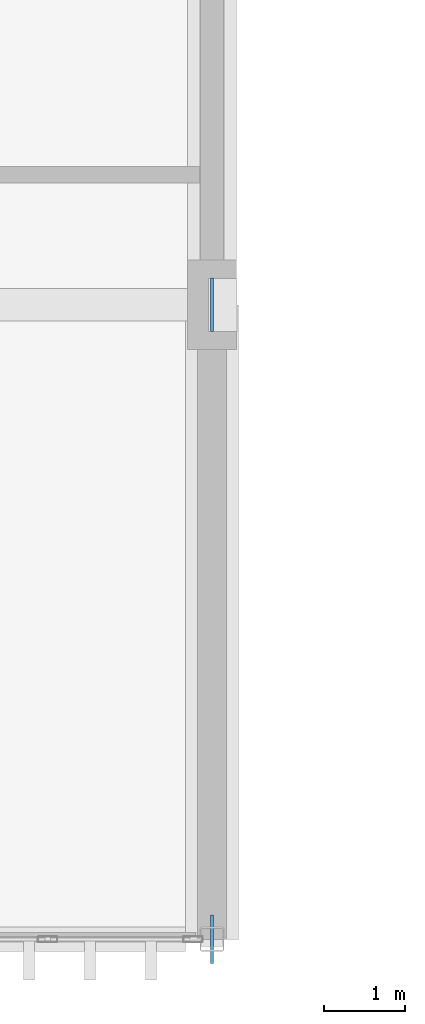
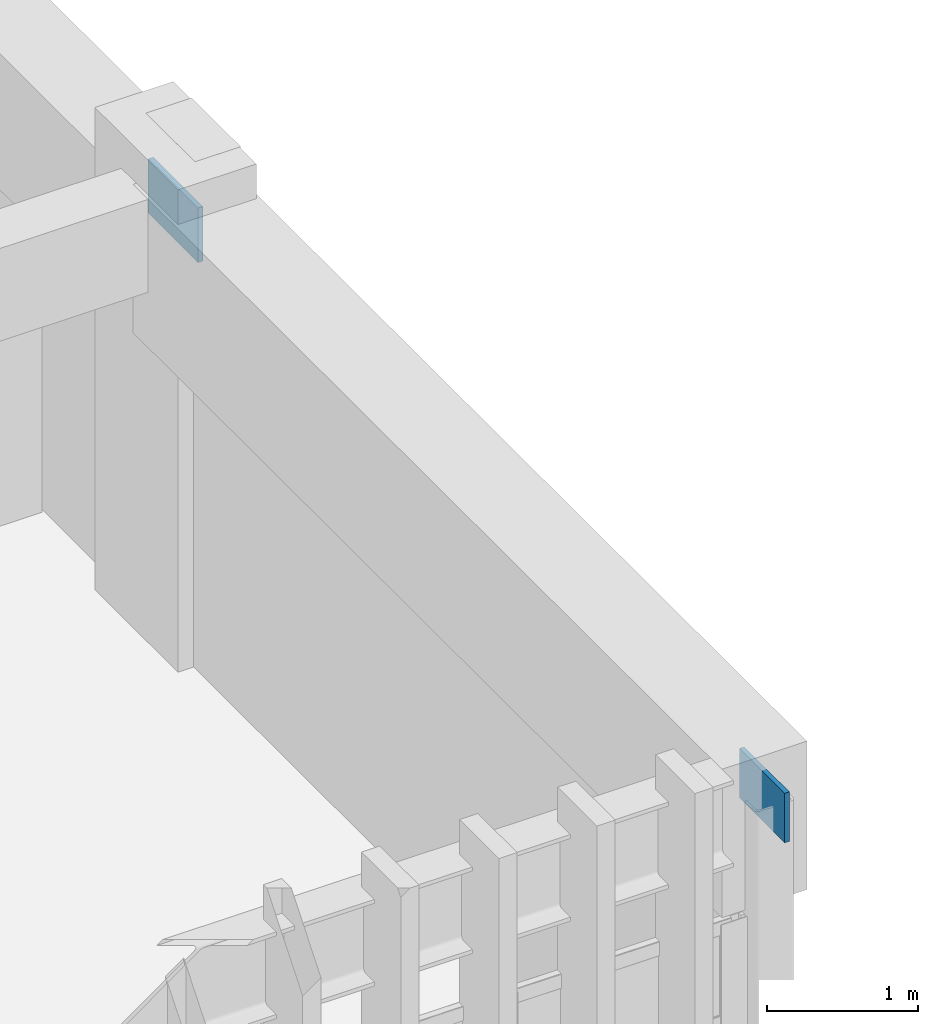
# One storey, part 57 of 82: 2 plates.
"""IFC4 building model written with IfcOpenShell, lengths in metres."""

from ifc_helpers import new_model, si_unit, direction, frame, origin, origin_2d, place, context, subcontext, project, spatial, rectangle, extrude, material, layer, layer_set, type_object, element, save


model = new_model("IFC4")

# Units and contexts
model_context = context("Model", 3, precision=1e-05, world=origin(), true_north=direction((0.0, 1.0)))
body_context = subcontext(model_context, "Body", "Model", "MODEL_VIEW")
ifc_project = project(units=[si_unit("LENGTHUNIT", "METRE"), si_unit("AREAUNIT", "SQUARE_METRE"), si_unit("VOLUMEUNIT", "CUBIC_METRE"), si_unit("PLANEANGLEUNIT", "RADIAN"), si_unit("MASSUNIT", "GRAM", prefix="KILO")], contexts=[model_context])

# Site, building, storey
site_placement = place(None, origin())
site = spatial("IfcSite", under=ifc_project, at=site_placement, CompositionType="ELEMENT")
building_placement = place(site_placement, origin())
building = spatial("IfcBuilding", under=site, at=building_placement, Name="Qasida Concert Hall", CompositionType="ELEMENT")
storey_placement = place(building_placement, frame((0.0, 0.0, 17.10009765625)))
storey = spatial("IfcBuildingStorey", under=building, at=storey_placement, Name="L04", CompositionType="ELEMENT", Elevation=17.10009765625)

# Plates
ifc_material = material(Name="Steel S355J2", Category="steel")
ifc_layer_1 = layer(ifc_material, 0.035888671875, Name="Steel S355J2")
ifc_layer_set_1 = layer_set([ifc_layer_1], Name="Steel S355J2")
plate_type_1 = type_object("IfcPlateType", Name="PLT-PL-KN1", PredefinedType="USERDEFINED", material=ifc_layer_set_1)
plate_1_placement = place(storey_placement, frame((105.0, 14.699951171875, 3.099853515625), z_axis=(0.0, 0.0, 1.0), x_axis=(1.0, 0.0, 0.0)))
element("IfcPlate", 1, at=plate_1_placement, inside=storey, type_object=plate_type_1, Name="Wall truss node plate KN-0017", ObjectType="GUSSET_PLATE", PredefinedType="USERDEFINED", context=body_context, shape_type="SweptSolid", body=[
    extrude(rectangle(XDim=0.035888671875, YDim=0.60009765625, at=origin_2d()), origin(), (0.0, 0.0, 1.0), 0.39990234375),
])
ifc_layer_2 = layer(ifc_material, 0.0380859375, Name="Steel S355J2")
ifc_layer_set_2 = layer_set([ifc_layer_2], Name="Steel S355J2")
plate_type_2 = type_object("IfcPlateType", Name="PLT-PL-KN5", PredefinedType="USERDEFINED", material=ifc_layer_set_2)
plate_2_placement = place(storey_placement, frame((105.0, 22.5, 3.079833984375), z_axis=(0.0, 0.0, 1.0), x_axis=(1.0, 0.0, 0.0)))
element("IfcPlate", 2, at=plate_2_placement, inside=storey, type_object=plate_type_2, Name="Wall truss node plate KN-0018", ObjectType="GUSSET_PLATE", PredefinedType="USERDEFINED", context=body_context, shape_type="SweptSolid", body=[
    extrude(rectangle(XDim=0.0380859375, YDim=0.659912109375, at=origin_2d()), origin(), (0.0, 0.0, 1.0), 0.43994140625),
])

save(model, "model.ifc")
